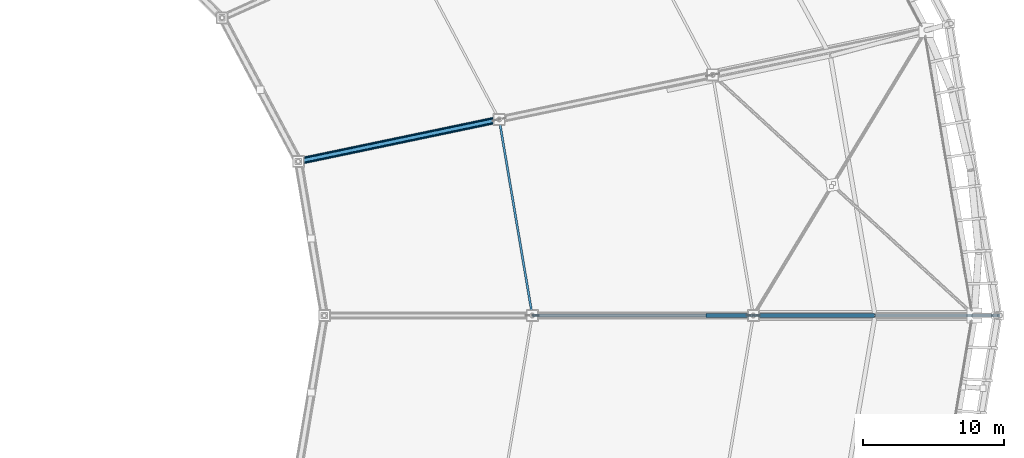
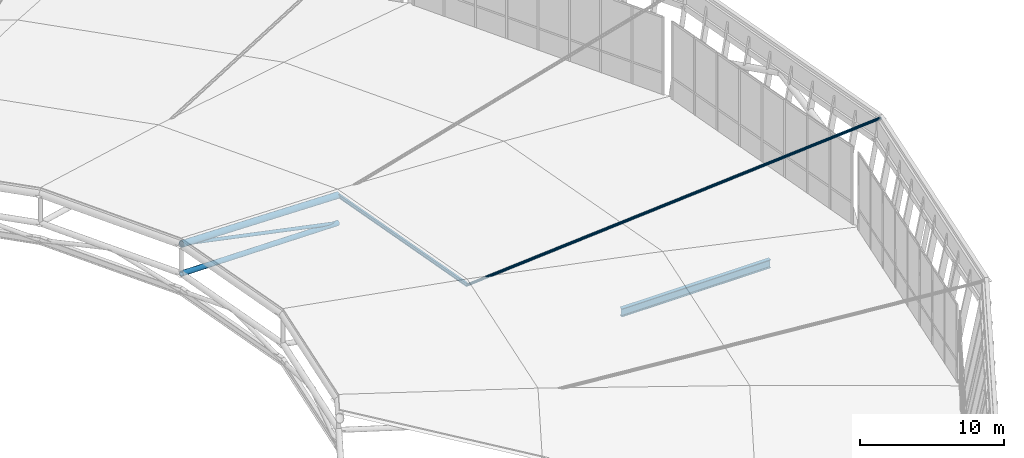
# One storey, part 51 of 115: 5 members, 1 beam.
"""IFC4 building model written with IfcOpenShell, lengths in metres."""

import ifcopenshell
import ifcopenshell.guid

model = None  # the IFC model being written
_history = None  # IfcOwnerHistory: only IFC2X3 demands one
_inside = {}  # id of a spatial element -> (the spatial element, [elements in it])
_under = {}  # id of a project, library or spatial element -> (it, [spatial elements below it])
_declared = {}  # id of a project -> (the project, [libraries it declares])
_typed = {}  # id of a type object -> (the type object, [elements of that type])
_made_of = {}  # id of a material, layer set ... -> (it, [elements and type objects made of it])


def new_model(schema):
    """Start an empty IFC model of exactly this schema.

    Asked for "IFC4X3", IfcOpenShell would pick the latest addendum, in which some entities
    have other attributes; the version numbers below select the first issue.
    IFC2X3 requires an IfcOwnerHistory on every rooted entity: one is made here for all.
    """
    global model, _history
    if schema == "IFC4X3":
        model = ifcopenshell.file(schema_version=(4, 3, 0, 0))
    else:
        model = ifcopenshell.file(schema=schema)
    _inside.clear()
    _under.clear()
    _declared.clear()
    _typed.clear()
    _made_of.clear()
    _history = None
    if model.schema == "IFC2X3":
        org = make("IfcOrganization", Name="unknown")
        user = make(
            "IfcPersonAndOrganization",
            ThePerson=make("IfcPerson", FamilyName="unknown"),
            TheOrganization=org,
        )
        app = make(
            "IfcApplication",
            ApplicationDeveloper=org,
            Version="unknown",
            ApplicationFullName="unknown",
            ApplicationIdentifier="unknown",
        )
        _history = make(
            "IfcOwnerHistory",
            OwningUser=user,
            OwningApplication=app,
            ChangeAction="ADDED",
            CreationDate=0,
        )
    return model


def make(cls, **values):
    """One entity of the class cls with the attributes given. An attribute that is None is left unset."""
    return model.create_entity(
        cls, **{name: value for name, value in values.items() if value is not None}
    )


def rooted(cls, **values):
    """An entity with a GlobalId (a new one), such as an element, a storey or a relation."""
    return make(cls, GlobalId=ifcopenshell.guid.new(), OwnerHistory=_history, **values)


def si_unit(unit_type, name, prefix=None):
    """IfcSIUnit, for example si_unit("LENGTHUNIT", "METRE", prefix="MILLI")."""
    return make("IfcSIUnit", UnitType=unit_type, Prefix=prefix, Name=name)


def assignment(units):
    """IfcUnitAssignment: the units of a project."""
    return None if units is None else make("IfcUnitAssignment", Units=units)


def point(xyz):
    """IfcCartesianPoint."""
    return None if xyz is None else make("IfcCartesianPoint", Coordinates=xyz)


def direction(xyz):
    """IfcDirection."""
    return None if xyz is None else make("IfcDirection", DirectionRatios=xyz)


def frame(location, z_axis=None, x_axis=None):
    """IfcAxis2Placement3D, a coordinate frame: its origin and axes. An axis left out is left unset."""
    return make(
        "IfcAxis2Placement3D",
        Location=point(location),
        Axis=direction(z_axis),
        RefDirection=direction(x_axis),
    )


def frame_2d(location, x_axis=None):
    """IfcAxis2Placement2D, a coordinate frame in the plane: its origin and x axis."""
    return make(
        "IfcAxis2Placement2D", Location=point(location), RefDirection=direction(x_axis)
    )


def origin():
    """The frame at (0, 0, 0) with its axes left unset."""
    return frame((0.0, 0.0, 0.0))


def origin_2d():
    """The frame at (0, 0) in the plane with its x axis left unset."""
    return frame_2d((0.0, 0.0))


def place(relative_to, where):
    """IfcLocalPlacement: puts the frame where relative to a parent placement (None: the world)."""
    return make(
        "IfcLocalPlacement", PlacementRelTo=relative_to, RelativePlacement=where
    )


def context(
    kind, dimensions, precision=None, world=None, true_north=None, identifier=None
):
    """IfcGeometricRepresentationContext, for example the 3D "Model" context."""
    return make(
        "IfcGeometricRepresentationContext",
        ContextIdentifier=identifier,
        ContextType=kind,
        CoordinateSpaceDimension=dimensions,
        Precision=precision,
        WorldCoordinateSystem=world,
        TrueNorth=true_north,
    )


def subcontext(parent, identifier, kind, view, scale=None):
    """IfcGeometricRepresentationSubContext, for example "Body" below "Model"."""
    return make(
        "IfcGeometricRepresentationSubContext",
        ContextIdentifier=identifier,
        ContextType=kind,
        ParentContext=parent,
        TargetScale=scale,
        TargetView=view,
    )


def project(units=None, contexts=None):
    """IfcProject with its units and contexts."""
    return rooted(
        "IfcProject",
        Name="project",
        RepresentationContexts=contexts,
        UnitsInContext=assignment(units),
    )


def spatial(cls, under=None, at=None, **own):
    """A site, building, storey or space (cls), placed at a placement, below another one or the project."""
    s = rooted(cls, ObjectPlacement=at, **own)
    if under is not None:
        _under.setdefault(under.id(), (under, []))[1].append(s)
    return s


def profile(cls, at=None, kind="AREA", **sizes):
    """A parametric profile (cls). Its sizes go by their IFC names, for example OverallWidth=200.0."""
    return make(cls, ProfileType=kind, Position=at, **sizes)


def hollow_circle(**sizes):
    """IfcCircleHollowProfileDef."""
    return profile("IfcCircleHollowProfileDef", **sizes)


def i_section(**sizes):
    """IfcIShapeProfileDef."""
    return profile("IfcIShapeProfileDef", **sizes)


def extrude(swept, where, along, depth):
    """IfcExtrudedAreaSolid: the profile swept, set in the frame where, extruded along a direction by depth."""
    return make(
        "IfcExtrudedAreaSolid",
        SweptArea=swept,
        Position=where,
        ExtrudedDirection=direction(along),
        Depth=depth,
    )


def shape(context_of_items, identifier, shape_type, items):
    """IfcShapeRepresentation: the items that make up one representation, for example the "Body"."""
    return make(
        "IfcShapeRepresentation",
        ContextOfItems=context_of_items,
        RepresentationIdentifier=identifier,
        RepresentationType=shape_type,
        Items=items,
    )


def material(Name=None, Category=None):
    """IfcMaterial."""
    return make("IfcMaterial", Name=Name, Category=Category)


def material_profile(
    of_material, cross_section, Name=None, Category=None, Priority=None
):
    """IfcMaterialProfile: a cross section and its material."""
    return make(
        "IfcMaterialProfile",
        Name=Name,
        Material=of_material,
        Profile=cross_section,
        Priority=Priority,
        Category=Category,
    )


def profile_set(profiles, Name=None, composite=None):
    """IfcMaterialProfileSet."""
    return make(
        "IfcMaterialProfileSet",
        Name=Name,
        MaterialProfiles=profiles,
        CompositeProfile=composite,
    )


def made_of(thing, what):
    """Note that an element or type object is made of a material, layer set ...; save() writes the relation."""
    if what is not None:
        _made_of.setdefault(what.id(), (what, []))[1].append(thing)
    return thing


def type_object(cls, material=None, **own):
    """A type object (cls), such as IfcWallType, which elements share."""
    return made_of(rooted(cls, **own), material)


def element(
    cls,
    number,
    at=None,
    inside=None,
    cuts=None,
    type_object=None,
    material=None,
    context=None,
    identifier="Body",
    shape_type=None,
    held_by="IfcProductDefinitionShape",
    body=None,
    shapes=None,
    **own,
):
    """One element of the class cls, such as IfcWall. Its Tag is "e" and its number.

    at: its placement. inside: the storey or other place that contains it. cuts: it is an
    opening in that element (IfcRelVoidsElement). A single representation is given by context,
    identifier, shape_type and body (its items); several are given by shapes. held_by: the class
    of the entity that holds the representations. save() writes the other relations.
    """
    e = rooted(cls, Tag="e%d" % number, ObjectPlacement=at, **own)
    if body is not None:
        shapes = [shape(context, identifier, shape_type, body)]
    if shapes is not None:
        e.Representation = make(held_by, Representations=shapes)
    if inside is not None:
        _inside.setdefault(inside.id(), (inside, []))[1].append(e)
    if cuts is not None:
        rooted(
            "IfcRelVoidsElement", RelatingBuildingElement=cuts, RelatedOpeningElement=e
        )
    if type_object is not None:
        _typed.setdefault(type_object.id(), (type_object, []))[1].append(e)
    return made_of(e, material)


def aggregate(whole, parts):
    """IfcRelAggregates: a whole, such as a stair, and the parts it consists of."""
    return rooted("IfcRelAggregates", RelatingObject=whole, RelatedObjects=parts)


def save(model, path):
    """Write the relations noted so far, then the file.

    IfcRelAggregates (storeys below a building ...), IfcRelContainedInSpatialStructure (elements
    in a storey), IfcRelDefinesByType, IfcRelAssociatesMaterial and IfcRelDeclares: one each for
    every whole, place, type object, material and project.
    """
    for whole, parts in _under.values():
        aggregate(whole, parts)
    for where, things in _inside.values():
        rooted(
            "IfcRelContainedInSpatialStructure",
            RelatedElements=things,
            RelatingStructure=where,
        )
    for kind, things in _typed.values():
        rooted("IfcRelDefinesByType", RelatedObjects=things, RelatingType=kind)
    for what, things in _made_of.values():
        rooted("IfcRelAssociatesMaterial", RelatedObjects=things, RelatingMaterial=what)
    for by, libraries in _declared.values():
        rooted("IfcRelDeclares", RelatingContext=by, RelatedDefinitions=libraries)
    model.write(path)


model = new_model("IFC4")

# Units and contexts
model_context = context("Model", 3, precision=1e-05, world=origin(), true_north=direction((0.0, 1.0)))
body_context = subcontext(model_context, "Body", "Model", "MODEL_VIEW")
ifc_project = project(units=[si_unit("LENGTHUNIT", "METRE"), si_unit("AREAUNIT", "SQUARE_METRE"), si_unit("VOLUMEUNIT", "CUBIC_METRE"), si_unit("PLANEANGLEUNIT", "RADIAN"), si_unit("MASSUNIT", "GRAM", prefix="KILO")], contexts=[model_context])

# Site, building, storey
site_placement = place(None, origin())
site = spatial("IfcSite", under=ifc_project, at=site_placement, CompositionType="ELEMENT")
building_placement = place(site_placement, origin())
building = spatial("IfcBuilding", under=site, at=building_placement, Name="Zlatoyarsky Gate Stadium", CompositionType="ELEMENT")
storey_placement = place(building_placement, frame((0.0, 0.0, 31.800048828125)))
storey = spatial("IfcBuildingStorey", under=building, at=storey_placement, Name="RF", CompositionType="ELEMENT", Elevation=31.800048828125)

# Members
ifc_material = material(Name="Steel S355", Category="steel")
ifc_material_profile_1 = material_profile(ifc_material, hollow_circle(Radius=0.203125, WallThickness=0.02001953125, at=origin_2d()), Name="CHS 406.4X20")
ifc_profile_set_1 = profile_set([ifc_material_profile_1], Name="Steel S355")
member_type_1 = type_object("IfcMemberType", Name="STEEL ARCH INNER CHORD CHS 406.4X20", PredefinedType="CHORD", material=ifc_profile_set_1)
member_1_placement = place(storey_placement, frame((177.396728515625, 93.8779296875, 3.949951171875), z_axis=(-0.964672188905, -0.201628161911, 0.169569019215), x_axis=(0.204590984252, -0.978847551544, 0.0)))
element("IfcMember", 1, at=member_1_placement, inside=storey, type_object=member_type_1, Name="Radial truss R02 bottom chord 3", PredefinedType="CHORD", context=body_context, shape_type="SweptSolid", body=[
    extrude(hollow_circle(Radius=0.203125, WallThickness=0.02001953125, at=origin_2d()), origin(), (0.0, 0.0, 1.0), 14.7431640625),
])
ifc_material_profile_2 = material_profile(ifc_material, hollow_circle(Radius=0.25390625, WallThickness=0.02490234375, at=origin_2d()), Name="CHS 508X25")
ifc_profile_set_2 = profile_set([ifc_material_profile_2], Name="Steel S355")
member_type_2 = type_object("IfcMemberType", Name="STEEL ARCH TOP CHORD CHS 508X25", PredefinedType="CHORD", material=ifc_profile_set_2)
member_2_placement = place(storey_placement, frame((177.396728515625, 93.8779296875, 6.300048828125), z_axis=(-0.962963687907, -0.201271064526, 0.179418210772), x_axis=(0.204590984252, -0.978847551544, 0.0)))
element("IfcMember", 2, at=member_2_placement, inside=storey, type_object=member_type_2, Name="Radial truss R02 top chord 3", PredefinedType="CHORD", context=body_context, shape_type="SweptSolid", body=[
    extrude(hollow_circle(Radius=0.25390625, WallThickness=0.02490234375, at=origin_2d()), origin(), (0.0, 0.0, 1.0), 14.76953125),
])
ifc_material_profile_3 = material_profile(ifc_material, i_section(OverallWidth=0.14990234375, OverallDepth=0.300048828125, WebThickness=0.007080078125, FlangeThickness=0.0107421875, FilletRadius=0.014892578125, at=origin_2d()), Name="IPE 300")
ifc_profile_set_3 = profile_set([ifc_material_profile_3], Name="Steel S355")
member_type_3 = type_object("IfcMemberType", Name="STEEL BOWL ROOF PURLIN IPE 300", PredefinedType="PURLIN", material=ifc_profile_set_3)
member_3_placement = place(storey_placement, frame((179.739013671875, 80.0, 6.329833984375), z_axis=(-0.166423982052, 0.986054287653, 0.0), x_axis=(-0.986054287653, -0.166423982052, 0.0)))
element("IfcMember", 3, at=member_3_placement, inside=storey, type_object=member_type_3, Name="Stadium roof purlin 00.2", PredefinedType="PURLIN", context=body_context, shape_type="SweptSolid", body=[
    extrude(i_section(OverallWidth=0.14990234375, OverallDepth=0.300048828125, WebThickness=0.007080078125, FlangeThickness=0.0107421875, FilletRadius=0.014892578125, at=origin_2d()), origin(), (0.0, 0.0, 1.0), 14.07421875),
])
ifc_material_profile_4 = material_profile(ifc_material, hollow_circle(Radius=0.109619140625, WallThickness=0.012451171875, at=origin_2d()), Name="CHS 219.1X12.5")
ifc_profile_set_4 = profile_set([ifc_material_profile_4], Name="Steel S355")
member_type_4 = type_object("IfcMemberType", Name="STEEL CANOPY WIND BRACE CHS 219.1X12.5", PredefinedType="BRACE", material=ifc_profile_set_4)
member_4_placement = place(storey_placement, frame((212.84423828125, 80.0, 8.849853515625), z_axis=(-0.997046998091, 0.0, -0.07679377317), x_axis=(0.0, -1.0, 0.0)))
element("IfcMember", 4, at=member_4_placement, inside=storey, type_object=member_type_4, Name="Crown fascia tie brace 00", PredefinedType="BRACE", context=body_context, shape_type="SweptSolid", body=[
    extrude(hollow_circle(Radius=0.109619140625, WallThickness=0.012451171875, at=origin_2d()), origin(), (0.0, 0.0, 1.0), 33.203369140625),
])

# Beam
ifc_material_profile_5 = material_profile(ifc_material, i_section(OverallWidth=0.300048828125, OverallDepth=0.699951171875, WebThickness=0.01708984375, FlangeThickness=0.031982421875, FilletRadius=0.027099609375, at=origin_2d()), Name="HEB 700")
ifc_profile_set_5 = profile_set([ifc_material_profile_5], Name="Steel S355")
beam_type = type_object("IfcBeamType", Name="STEEL ROOF RING GIRDER HEB 700", PredefinedType="BEAM", material=ifc_profile_set_5)
beam_placement = place(storey_placement, frame((192.0400390625, 80.0, -0.300048828125), z_axis=(1.0, 0.0, 0.0), x_axis=(0.0, 1.0, 0.0)))
element("IfcBeam", 5, at=beam_placement, inside=storey, type_object=beam_type, Name="RF roof tie girder BM-RF-RBC-00", PredefinedType="BEAM", context=body_context, shape_type="SweptSolid", body=[
    extrude(i_section(OverallWidth=0.300048828125, OverallDepth=0.699951171875, WebThickness=0.01708984375, FlangeThickness=0.031982421875, FilletRadius=0.027099609375, at=origin_2d()), origin(), (0.0, 0.0, 1.0), 11.919921875),
])

# Member
ifc_material_profile_6 = material_profile(ifc_material, hollow_circle(Radius=0.136474609375, WallThickness=0.01611328125, at=origin_2d()), Name="CHS 273X16")
ifc_profile_set_6 = profile_set([ifc_material_profile_6], Name="Steel S355")
member_type_5 = type_object("IfcMemberType", Name="STEEL ROOF TRUSS DIAGONAL CHS 273X16", PredefinedType="BRACE", material=ifc_profile_set_6)
member_5_placement = place(storey_placement, frame((177.396728515625, 93.8779296875, 3.949951171875), z_axis=(-0.925577253601, -0.193456847307, 0.325393908742), x_axis=(0.204590984252, -0.978847551544, 0.0)))
element("IfcMember", 6, at=member_5_placement, inside=storey, type_object=member_type_5, Name="Radial truss R02 web diagonal 3", PredefinedType="BRACE", context=body_context, shape_type="SweptSolid", body=[
    extrude(hollow_circle(Radius=0.136474609375, WallThickness=0.01611328125, at=origin_2d()), origin(), (0.0, 0.0, 1.0), 15.365966796875),
])

save(model, "model.ifc")
